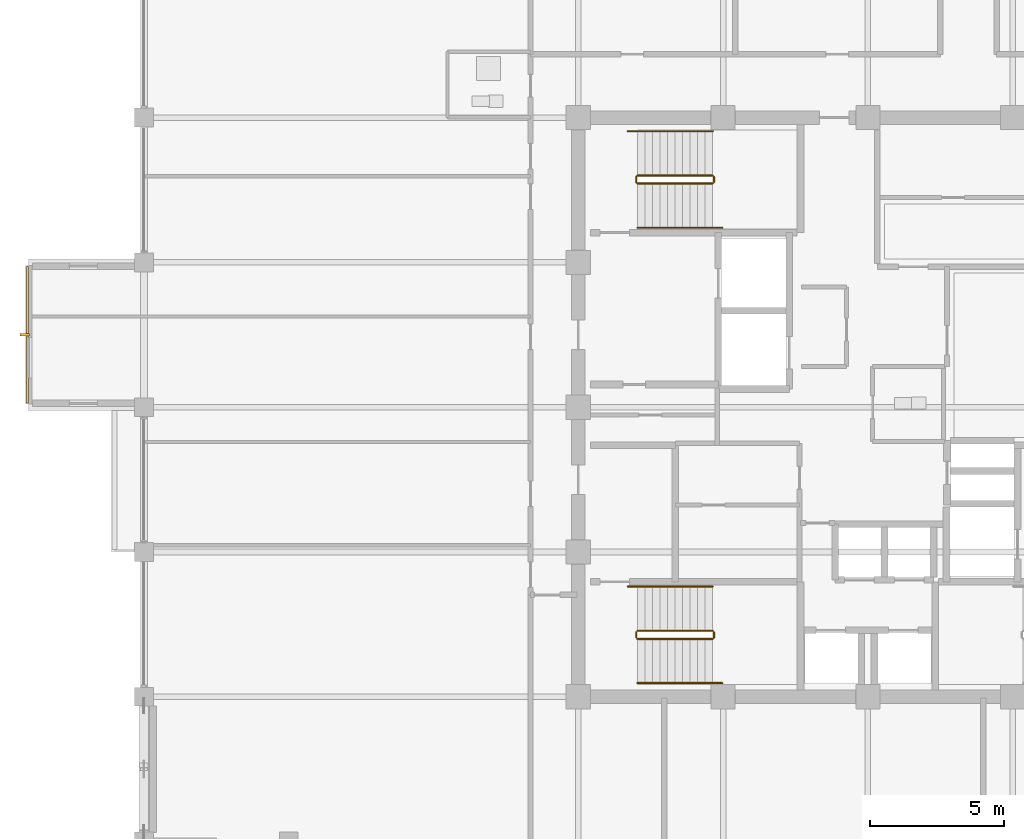
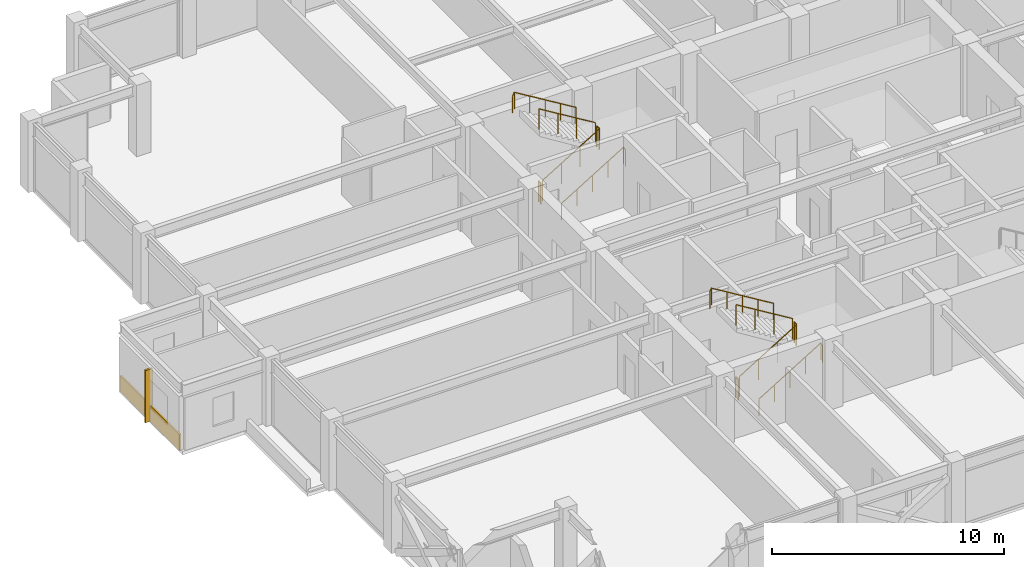
# One storey, part 29 of 31: 12 railings, 1 covering, 1 shading device.
"""IFC4 building model written with IfcOpenShell, lengths in metres."""

from ifc_helpers import new_model, si_unit, direction, frame, origin, origin_2d, place, context, subcontext, project, spatial, rectangle, circle, extrude, material, layer, layer_set, type_object, element, save


model = new_model("IFC4")

# Units and contexts
model_context = context("Model", 3, precision=1e-05, world=origin(), true_north=direction((0.0, 1.0)))
body_context = subcontext(model_context, "Body", "Model", "MODEL_VIEW")
ifc_project = project(units=[si_unit("LENGTHUNIT", "METRE"), si_unit("AREAUNIT", "SQUARE_METRE"), si_unit("VOLUMEUNIT", "CUBIC_METRE"), si_unit("PLANEANGLEUNIT", "RADIAN"), si_unit("MASSUNIT", "GRAM", prefix="KILO")], contexts=[model_context])

# Site, building, storey
site_placement = place(None, origin())
site = spatial("IfcSite", under=ifc_project, at=site_placement, CompositionType="ELEMENT")
building_placement = place(site_placement, origin())
building = spatial("IfcBuilding", under=site, at=building_placement, Name="Surkhivell Harbour Commons", CompositionType="ELEMENT")
storey_placement = place(building_placement, frame((0.0, 0.0, 315.0)))
storey = spatial("IfcBuildingStorey", under=building, at=storey_placement, Name="L82", CompositionType="ELEMENT", Elevation=315.0)

# Covering
ifc_material_1 = material(Name="Saffron-gold enamelled aluminium cassette panel", Category="aluminium")
ifc_layer = layer(ifc_material_1, 0.070068359375)
ifc_layer_set = layer_set([ifc_layer], Name="Saffron-gold enamelled aluminium cassette panel")
covering_type = type_object("IfcCoveringType", Name="COV-CLAD-SAF", PredefinedType="CLADDING", material=ifc_layer_set)
covering_placement = place(storey_placement, frame((-31.340087890625, 2.699951171875, 0.0), z_axis=(0.0, 0.0, 1.0), x_axis=(1.0, 0.0, 0.0)))
element("IfcCovering", 1, at=covering_placement, inside=storey, type_object=covering_type, Name="L82 Coloured-Panel Box Spandrel Cassette 02", PredefinedType="CLADDING", context=body_context, shape_type="SweptSolid", body=[
    extrude(rectangle(XDim=0.080078125, YDim=5.10009765625, at=origin_2d()), origin(), (0.0, 0.0, 1.0), 0.840087890625),
])

# Railings
ifc_material_2 = material(Name="Galvanised and painted steel S355 guard rail", Category="steel")
railing_type_1 = type_object("IfcRailingType", Name="RAL-ST-GRD1100", PredefinedType="GUARDRAIL", material=ifc_material_2)
railing_1_placement = place(storey_placement, frame((-8.590087890625, 8.340087890625, 0.17041015625)))
element("IfcRailing", 2, at=railing_1_placement, inside=storey, type_object=railing_type_1, Name="L82 ST1 stair guard 1", PredefinedType="GUARDRAIL", context=body_context, shape_type="SweptSolid", body=[
    extrude(circle(Radius=0.02392578125, at=origin_2d()), frame((0.0, 0.0, 1.076171875), z_axis=(0.854169791009, 0.0, 0.51999420009), x_axis=(0.0, 1.0, 0.0)), (0.0, 0.0, 1.0), 3.278076171875),
    extrude(circle(Radius=0.02099609375, at=origin_2d()), origin(), (0.0, 0.0, 1.0), 1.052001953125),
    extrude(circle(Radius=0.02099609375, at=origin_2d()), frame((0.933349609375, 0.0, 0.568115234375)), (0.0, 0.0, 1.0), 1.052001953125),
    extrude(circle(Radius=0.02099609375, at=origin_2d()), frame((1.86669921875, 0.0, 1.136474609375)), (0.0, 0.0, 1.0), 1.052001953125),
    extrude(circle(Radius=0.02099609375, at=origin_2d()), frame((2.800048828125, 0.0, 1.70458984375)), (0.0, 0.0, 1.0), 1.052001953125),
])
railing_2_placement = place(storey_placement, frame((-5.739990234375, 8.389892578125, 1.875)))
element("IfcRailing", 3, at=railing_2_placement, inside=storey, type_object=railing_type_1, Name="L82 ST1 stair guard 2", PredefinedType="GUARDRAIL", context=body_context, shape_type="SweptSolid", body=[
    extrude(circle(Radius=0.02392578125, at=origin_2d()), frame((0.0, 0.0, 1.076171875), z_axis=(0.0, 1.0, 0.0), x_axis=(-1.0, 0.0, 0.0)), (0.0, 0.0, 1.0), 0.2001953125),
    extrude(circle(Radius=0.02099609375, at=origin_2d()), origin(), (0.0, 0.0, 1.0), 1.052001953125),
    extrude(circle(Radius=0.02099609375, at=origin_2d()), frame((0.0, 0.2001953125, 0.0)), (0.0, 0.0, 1.0), 1.052001953125),
])
railing_3_placement = place(storey_placement, frame((-5.7900390625, 8.639892578125, 2.04541015625)))
element("IfcRailing", 4, at=railing_3_placement, inside=storey, type_object=railing_type_1, Name="L82 ST1 stair guard 3", PredefinedType="GUARDRAIL", context=body_context, shape_type="SweptSolid", body=[
    extrude(circle(Radius=0.02392578125, at=origin_2d()), frame((0.0, 0.0, 1.076171875), z_axis=(-0.854169791009, 0.0, 0.51999420009), x_axis=(0.0, -1.0, 0.0)), (0.0, 0.0, 1.0), 3.278076171875),
    extrude(circle(Radius=0.02099609375, at=origin_2d()), origin(), (0.0, 0.0, 1.0), 1.052001953125),
    extrude(circle(Radius=0.02099609375, at=origin_2d()), frame((-0.933349609375, 0.0, 0.568115234375)), (0.0, 0.0, 1.0), 1.052001953125),
    extrude(circle(Radius=0.02099609375, at=origin_2d()), frame((-1.86669921875, 0.0, 1.136474609375)), (0.0, 0.0, 1.0), 1.052001953125),
    extrude(circle(Radius=0.02099609375, at=origin_2d()), frame((-2.800048828125, 0.0, 1.70458984375)), (0.0, 0.0, 1.0), 1.052001953125),
])
railing_4_placement = place(storey_placement, frame((-8.639892578125, 8.389892578125, 0.0)))
element("IfcRailing", 5, at=railing_4_placement, inside=storey, type_object=railing_type_1, Name="L82 ST1 stair guard 4", PredefinedType="GUARDRAIL", context=body_context, shape_type="SweptSolid", body=[
    extrude(circle(Radius=0.02392578125, at=origin_2d()), frame((0.0, 0.0, 1.076171875), z_axis=(0.0, 1.0, 0.0), x_axis=(-1.0, 0.0, 0.0)), (0.0, 0.0, 1.0), 0.2001953125),
    extrude(circle(Radius=0.02099609375, at=origin_2d()), origin(), (0.0, 0.0, 1.0), 1.052001953125),
    extrude(circle(Radius=0.02099609375, at=origin_2d()), frame((0.0, 0.2001953125, 0.0)), (0.0, 0.0, 1.0), 1.052001953125),
])
railing_5_placement = place(storey_placement, frame((-8.590087890625, -8.639892578125, 0.17041015625)))
element("IfcRailing", 6, at=railing_5_placement, inside=storey, type_object=railing_type_1, Name="L82 ST3 stair guard 1", PredefinedType="GUARDRAIL", context=body_context, shape_type="SweptSolid", body=[
    extrude(circle(Radius=0.02392578125, at=origin_2d()), frame((0.0, 0.0, 1.076171875), z_axis=(0.854169791009, 0.0, 0.51999420009), x_axis=(0.0, 1.0, 0.0)), (0.0, 0.0, 1.0), 3.278076171875),
    extrude(circle(Radius=0.02099609375, at=origin_2d()), origin(), (0.0, 0.0, 1.0), 1.052001953125),
    extrude(circle(Radius=0.02099609375, at=origin_2d()), frame((0.933349609375, 0.0, 0.568115234375)), (0.0, 0.0, 1.0), 1.052001953125),
    extrude(circle(Radius=0.02099609375, at=origin_2d()), frame((1.86669921875, 0.0, 1.136474609375)), (0.0, 0.0, 1.0), 1.052001953125),
    extrude(circle(Radius=0.02099609375, at=origin_2d()), frame((2.800048828125, 0.0, 1.70458984375)), (0.0, 0.0, 1.0), 1.052001953125),
])
railing_6_placement = place(storey_placement, frame((-5.739990234375, -8.590087890625, 1.875)))
element("IfcRailing", 7, at=railing_6_placement, inside=storey, type_object=railing_type_1, Name="L82 ST3 stair guard 2", PredefinedType="GUARDRAIL", context=body_context, shape_type="SweptSolid", body=[
    extrude(circle(Radius=0.02392578125, at=origin_2d()), frame((0.0, 0.0, 1.076171875), z_axis=(0.0, 1.0, 0.0), x_axis=(-1.0, 0.0, 0.0)), (0.0, 0.0, 1.0), 0.2001953125),
    extrude(circle(Radius=0.02099609375, at=origin_2d()), origin(), (0.0, 0.0, 1.0), 1.052001953125),
    extrude(circle(Radius=0.02099609375, at=origin_2d()), frame((0.0, 0.2001953125, 0.0)), (0.0, 0.0, 1.0), 1.052001953125),
])
railing_7_placement = place(storey_placement, frame((-5.7900390625, -8.340087890625, 2.04541015625)))
element("IfcRailing", 8, at=railing_7_placement, inside=storey, type_object=railing_type_1, Name="L82 ST3 stair guard 3", PredefinedType="GUARDRAIL", context=body_context, shape_type="SweptSolid", body=[
    extrude(circle(Radius=0.02392578125, at=origin_2d()), frame((0.0, 0.0, 1.076171875), z_axis=(-0.854169791009, 0.0, 0.51999420009), x_axis=(0.0, -1.0, 0.0)), (0.0, 0.0, 1.0), 3.278076171875),
    extrude(circle(Radius=0.02099609375, at=origin_2d()), origin(), (0.0, 0.0, 1.0), 1.052001953125),
    extrude(circle(Radius=0.02099609375, at=origin_2d()), frame((-0.933349609375, 0.0, 0.568115234375)), (0.0, 0.0, 1.0), 1.052001953125),
    extrude(circle(Radius=0.02099609375, at=origin_2d()), frame((-1.86669921875, 0.0, 1.136474609375)), (0.0, 0.0, 1.0), 1.052001953125),
    extrude(circle(Radius=0.02099609375, at=origin_2d()), frame((-2.800048828125, 0.0, 1.70458984375)), (0.0, 0.0, 1.0), 1.052001953125),
])
railing_8_placement = place(storey_placement, frame((-8.639892578125, -8.590087890625, 0.0)))
element("IfcRailing", 9, at=railing_8_placement, inside=storey, type_object=railing_type_1, Name="L82 ST3 stair guard 4", PredefinedType="GUARDRAIL", context=body_context, shape_type="SweptSolid", body=[
    extrude(circle(Radius=0.02392578125, at=origin_2d()), frame((0.0, 0.0, 1.076171875), z_axis=(0.0, 1.0, 0.0), x_axis=(-1.0, 0.0, 0.0)), (0.0, 0.0, 1.0), 0.2001953125),
    extrude(circle(Radius=0.02099609375, at=origin_2d()), origin(), (0.0, 0.0, 1.0), 1.052001953125),
    extrude(circle(Radius=0.02099609375, at=origin_2d()), frame((0.0, 0.2001953125, 0.0)), (0.0, 0.0, 1.0), 1.052001953125),
])
ifc_material_3 = material(Name="Brushed stainless steel S355 handrail", Category="steel")
railing_type_2 = type_object("IfcRailingType", Name="RAL-ST-HND900", PredefinedType="HANDRAIL", material=ifc_material_3)
railing_9_placement = place(storey_placement, frame((-8.590087890625, 6.68994140625, 0.17041015625)))
element("IfcRailing", 10, at=railing_9_placement, inside=storey, type_object=railing_type_2, Name="L82 ST1 stair handrail 1", PredefinedType="HANDRAIL", context=body_context, shape_type="SweptSolid", body=[
    extrude(circle(Radius=0.02392578125, at=origin_2d()), frame((0.0, 0.0, 0.8759765625), z_axis=(0.854177636135, 0.0, 0.519981313056), x_axis=(0.0, 1.0, 0.0)), (0.0, 0.0, 1.0), 3.60595703125),
    extrude(circle(Radius=0.02392578125, at=origin_2d()), frame((3.080078125, 0.0, 2.7509765625), z_axis=(0.425297416671, 0.0, -0.905053648892), x_axis=(0.0, 1.0, 0.0)), (0.0, 0.0, 1.0), 0.188232421875),
    extrude(circle(Radius=0.02099609375, at=origin_2d()), origin(), (0.0, 0.0, 1.0), 0.851806640625),
    extrude(circle(Radius=0.02099609375, at=origin_2d()), frame((0.77001953125, 0.0, 0.46875)), (0.0, 0.0, 1.0), 0.851806640625),
    extrude(circle(Radius=0.02099609375, at=origin_2d()), frame((1.5400390625, 0.0, 0.9375)), (0.0, 0.0, 1.0), 0.851806640625),
    extrude(circle(Radius=0.02099609375, at=origin_2d()), frame((2.31005859375, 0.0, 1.40625)), (0.0, 0.0, 1.0), 0.851806640625),
    extrude(circle(Radius=0.02099609375, at=origin_2d()), frame((3.080078125, 0.0, 1.875)), (0.0, 0.0, 1.0), 0.851806640625),
    extrude(circle(Radius=0.02099609375, at=origin_2d()), frame((3.16015625, 0.0, 1.70458984375)), (0.0, 0.0, 1.0), 0.851806640625),
])
railing_10_placement = place(storey_placement, frame((-5.7900390625, 10.2900390625, 2.04541015625)))
element("IfcRailing", 11, at=railing_10_placement, inside=storey, type_object=railing_type_2, Name="L82 ST1 stair handrail 2", PredefinedType="HANDRAIL", context=body_context, shape_type="SweptSolid", body=[
    extrude(circle(Radius=0.02392578125, at=origin_2d()), frame((0.0, 0.0, 0.8759765625), z_axis=(-0.854177636135, 0.0, 0.519981313056), x_axis=(0.0, -1.0, 0.0)), (0.0, 0.0, 1.0), 3.60595703125),
    extrude(circle(Radius=0.02392578125, at=origin_2d()), frame((-3.080078125, 0.0, 2.7509765625), z_axis=(-0.424234432967, 0.0, -0.905552398199), x_axis=(0.0, -1.0, 0.0)), (0.0, 0.0, 1.0), 0.188232421875),
    extrude(circle(Radius=0.02099609375, at=origin_2d()), origin(), (0.0, 0.0, 1.0), 0.851806640625),
    extrude(circle(Radius=0.02099609375, at=origin_2d()), frame((-0.77001953125, 0.0, 0.46875)), (0.0, 0.0, 1.0), 0.851806640625),
    extrude(circle(Radius=0.02099609375, at=origin_2d()), frame((-1.5400390625, 0.0, 0.9375)), (0.0, 0.0, 1.0), 0.851806640625),
    extrude(circle(Radius=0.02099609375, at=origin_2d()), frame((-2.31005859375, 0.0, 1.40625)), (0.0, 0.0, 1.0), 0.851806640625),
    extrude(circle(Radius=0.02099609375, at=origin_2d()), frame((-3.080078125, 0.0, 1.875)), (0.0, 0.0, 1.0), 0.851806640625),
    extrude(circle(Radius=0.02099609375, at=origin_2d()), frame((-3.159912109375, 0.0, 1.70458984375)), (0.0, 0.0, 1.0), 0.851806640625),
])
railing_11_placement = place(storey_placement, frame((-8.590087890625, -10.2900390625, 0.17041015625)))
element("IfcRailing", 12, at=railing_11_placement, inside=storey, type_object=railing_type_2, Name="L82 ST3 stair handrail 1", PredefinedType="HANDRAIL", context=body_context, shape_type="SweptSolid", body=[
    extrude(circle(Radius=0.02392578125, at=origin_2d()), frame((0.0, 0.0, 0.8759765625), z_axis=(0.854177636135, 0.0, 0.519981313056), x_axis=(0.0, 1.0, 0.0)), (0.0, 0.0, 1.0), 3.60595703125),
    extrude(circle(Radius=0.02392578125, at=origin_2d()), frame((3.080078125, 0.0, 2.7509765625), z_axis=(0.425297416671, 0.0, -0.905053648892), x_axis=(0.0, 1.0, 0.0)), (0.0, 0.0, 1.0), 0.188232421875),
    extrude(circle(Radius=0.02099609375, at=origin_2d()), origin(), (0.0, 0.0, 1.0), 0.851806640625),
    extrude(circle(Radius=0.02099609375, at=origin_2d()), frame((0.77001953125, 0.0, 0.46875)), (0.0, 0.0, 1.0), 0.851806640625),
    extrude(circle(Radius=0.02099609375, at=origin_2d()), frame((1.5400390625, 0.0, 0.9375)), (0.0, 0.0, 1.0), 0.851806640625),
    extrude(circle(Radius=0.02099609375, at=origin_2d()), frame((2.31005859375, 0.0, 1.40625)), (0.0, 0.0, 1.0), 0.851806640625),
    extrude(circle(Radius=0.02099609375, at=origin_2d()), frame((3.080078125, 0.0, 1.875)), (0.0, 0.0, 1.0), 0.851806640625),
    extrude(circle(Radius=0.02099609375, at=origin_2d()), frame((3.16015625, 0.0, 1.70458984375)), (0.0, 0.0, 1.0), 0.851806640625),
])
railing_12_placement = place(storey_placement, frame((-5.7900390625, -6.68994140625, 2.04541015625)))
element("IfcRailing", 13, at=railing_12_placement, inside=storey, type_object=railing_type_2, Name="L82 ST3 stair handrail 2", PredefinedType="HANDRAIL", context=body_context, shape_type="SweptSolid", body=[
    extrude(circle(Radius=0.02392578125, at=origin_2d()), frame((0.0, 0.0, 0.8759765625), z_axis=(-0.854177636135, 0.0, 0.519981313056), x_axis=(0.0, -1.0, 0.0)), (0.0, 0.0, 1.0), 3.60595703125),
    extrude(circle(Radius=0.02392578125, at=origin_2d()), frame((-3.080078125, 0.0, 2.7509765625), z_axis=(-0.424234432967, 0.0, -0.905552398199), x_axis=(0.0, -1.0, 0.0)), (0.0, 0.0, 1.0), 0.188232421875),
    extrude(circle(Radius=0.02099609375, at=origin_2d()), origin(), (0.0, 0.0, 1.0), 0.851806640625),
    extrude(circle(Radius=0.02099609375, at=origin_2d()), frame((-0.77001953125, 0.0, 0.46875)), (0.0, 0.0, 1.0), 0.851806640625),
    extrude(circle(Radius=0.02099609375, at=origin_2d()), frame((-1.5400390625, 0.0, 0.9375)), (0.0, 0.0, 1.0), 0.851806640625),
    extrude(circle(Radius=0.02099609375, at=origin_2d()), frame((-2.31005859375, 0.0, 1.40625)), (0.0, 0.0, 1.0), 0.851806640625),
    extrude(circle(Radius=0.02099609375, at=origin_2d()), frame((-3.080078125, 0.0, 1.875)), (0.0, 0.0, 1.0), 0.851806640625),
    extrude(circle(Radius=0.02099609375, at=origin_2d()), frame((-3.159912109375, 0.0, 1.70458984375)), (0.0, 0.0, 1.0), 0.851806640625),
])

# Shading device
ifc_material_4 = material(Name="Anodised pale-metal aluminium solar fin", Category="aluminium")
shading_device_type = type_object("IfcShadingDeviceType", Name="SHD-FIN-VERT", PredefinedType="USERDEFINED", material=ifc_material_4)
shading_device_placement = place(storey_placement, frame((-31.43994140625, 2.699951171875, 0.0048828125), z_axis=(0.0, 0.0, 1.0), x_axis=(1.0, 0.0, 0.0)))
element("IfcShadingDevice", 14, at=shading_device_placement, inside=storey, type_object=shading_device_type, Name="L82 Coloured-Box Solar Fin 02", ObjectType="FIN", PredefinedType="USERDEFINED", context=body_context, shape_type="SweptSolid", body=[
    extrude(rectangle(XDim=0.360107421875, YDim=0.090087890625, at=origin_2d()), origin(), (0.0, 0.0, 1.0), 2.75),
])

save(model, "model.ifc")
